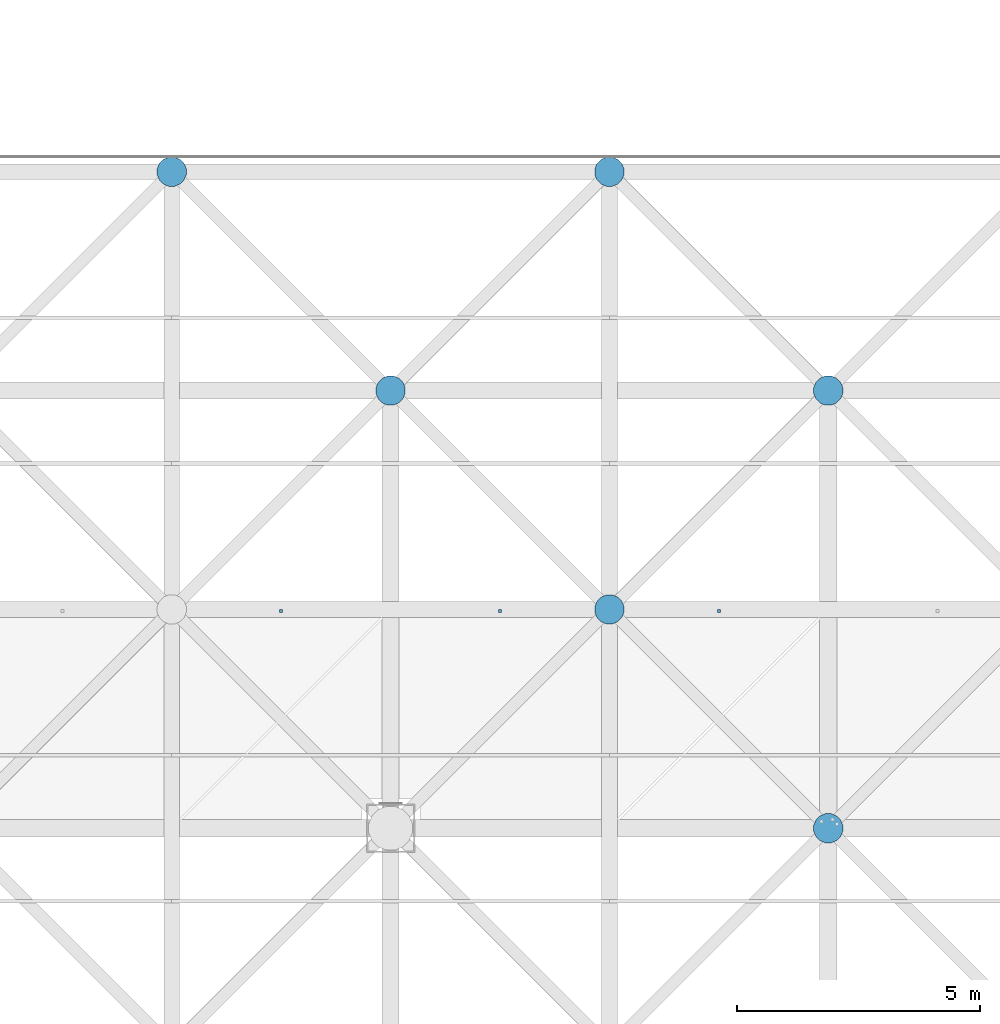
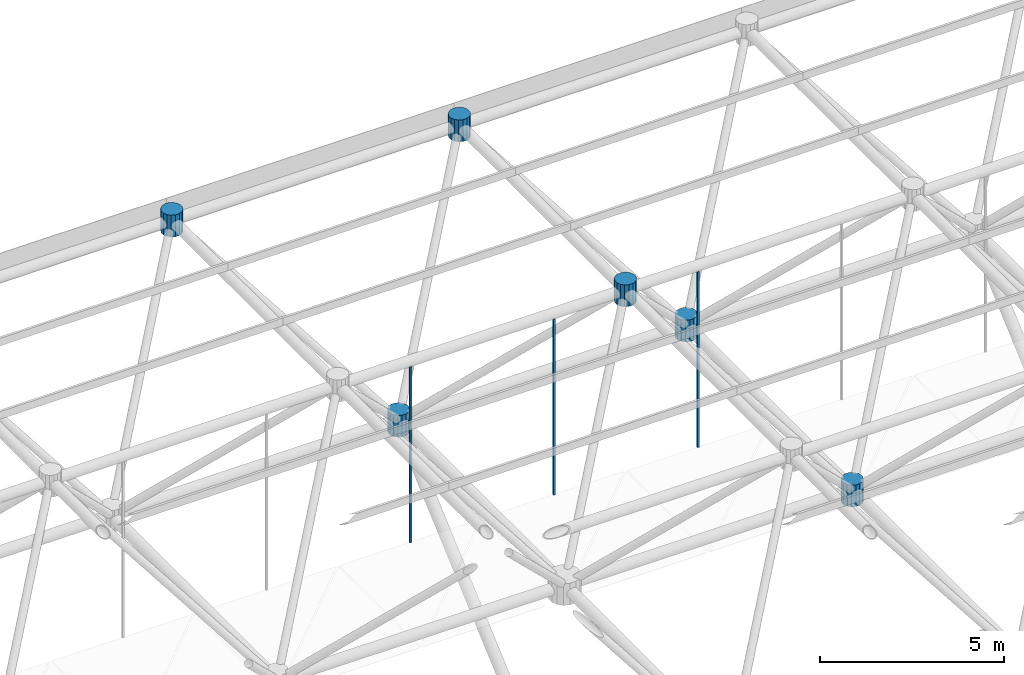
# One storey, part 326 of 437: 9 discrete accessories.
"""IFC4 building model written with IfcOpenShell, lengths in metres."""

from ifc_helpers import new_model, si_unit, direction, frame, origin, place, context, subcontext, project, spatial, polyline, outline, extrude, material, type_object, element, save


model = new_model("IFC4")

# Units and contexts
model_context = context("Model", 3, precision=1e-05, world=origin(), true_north=direction((0.0, 1.0)))
body_context = subcontext(model_context, "Body", "Model", "MODEL_VIEW")
ifc_project = project(units=[si_unit("LENGTHUNIT", "METRE"), si_unit("AREAUNIT", "SQUARE_METRE"), si_unit("VOLUMEUNIT", "CUBIC_METRE"), si_unit("PLANEANGLEUNIT", "RADIAN"), si_unit("MASSUNIT", "GRAM", prefix="KILO")], contexts=[model_context])

# Site, building, storey
site_placement = place(None, origin())
site = spatial("IfcSite", under=ifc_project, at=site_placement, CompositionType="ELEMENT")
building_placement = place(site_placement, origin())
building = spatial("IfcBuilding", under=site, at=building_placement, Name="Opaline Strait Convention Centre", CompositionType="ELEMENT")
storey_placement = place(building_placement, frame((0.0, 0.0, 11.5)))
storey = spatial("IfcBuildingStorey", under=building, at=storey_placement, Name="L02", CompositionType="ELEMENT", Elevation=11.5)

# Discrete accessories
ifc_material_1 = material(Name="Steel Q355B", Category="steel")
discrete_accessory_type_1 = type_object("IfcDiscreteAccessoryType", Name="Soffit hanger 60x60 steel", PredefinedType="BRACKET", material=ifc_material_1)
discrete_accessory_1_placement = place(storey_placement, frame((0.0, 0.0, 11.989990234375)))
element("IfcDiscreteAccessory", 1, at=discrete_accessory_1_placement, inside=storey, type_object=discrete_accessory_type_1, Name="Soffit hanger", PredefinedType="BRACKET", context=body_context, shape_type="SweptSolid", body=[
    extrude(outline(polyline([(168.719970703125, 157.43505859375), (168.780029296875, 157.43505859375), (168.780029296875, 157.4951171875), (168.719970703125, 157.4951171875), (168.719970703125, 157.43505859375)])), origin(), (0.0, 0.0, 1.0), 5.819091796875),
])
discrete_accessory_2_placement = place(storey_placement, frame((0.0, 0.0, 11.989990234375)))
element("IfcDiscreteAccessory", 2, at=discrete_accessory_2_placement, inside=storey, type_object=discrete_accessory_type_1, Name="Soffit hanger", PredefinedType="BRACKET", context=body_context, shape_type="SweptSolid", body=[
    extrude(outline(polyline([(173.219970703125, 157.43505859375), (173.280029296875, 157.43505859375), (173.280029296875, 157.4951171875), (173.219970703125, 157.4951171875), (173.219970703125, 157.43505859375)])), origin(), (0.0, 0.0, 1.0), 5.819091796875),
])
discrete_accessory_3_placement = place(storey_placement, frame((0.0, 0.0, 11.989990234375)))
element("IfcDiscreteAccessory", 3, at=discrete_accessory_3_placement, inside=storey, type_object=discrete_accessory_type_1, Name="Soffit hanger", PredefinedType="BRACKET", context=body_context, shape_type="SweptSolid", body=[
    extrude(outline(polyline([(177.719970703125, 157.43505859375), (177.780029296875, 157.43505859375), (177.780029296875, 157.4951171875), (177.719970703125, 157.4951171875), (177.719970703125, 157.43505859375)])), origin(), (0.0, 0.0, 1.0), 5.819091796875),
])
ifc_material_2 = material(Name="Cast steel ZG300-500H (300 MPa)", Category="steel")
discrete_accessory_type_2 = type_object("IfcDiscreteAccessoryType", Name="Space frame node hub D600", PredefinedType="USERDEFINED", material=ifc_material_2)
discrete_accessory_4_placement = place(storey_placement, frame((0.0, 0.0, 17.611572265625)))
element("IfcDiscreteAccessory", 4, at=discrete_accessory_4_placement, inside=storey, type_object=discrete_accessory_type_2, Name="Top node 10/15", ObjectType="NODE HUB", PredefinedType="USERDEFINED", context=body_context, shape_type="SweptSolid", body=[
    extrude(outline(polyline([(166.800048828125, 166.559814453125), (166.75439453125, 166.669921875), (166.669921875, 166.75439453125), (166.559814453125, 166.800048828125), (166.440185546875, 166.800048828125), (166.330078125, 166.75439453125), (166.24560546875, 166.669921875), (166.199951171875, 166.559814453125), (166.199951171875, 166.440185546875), (166.24560546875, 166.330078125), (166.330078125, 166.24560546875), (166.440185546875, 166.199951171875), (166.559814453125, 166.199951171875), (166.669921875, 166.24560546875), (166.75439453125, 166.330078125), (166.800048828125, 166.440185546875), (166.800048828125, 166.559814453125)])), origin(), (0.0, 0.0, 1.0), 0.719970703125),
])
discrete_accessory_5_placement = place(storey_placement, frame((0.0, 0.0, 17.611572265625)))
element("IfcDiscreteAccessory", 5, at=discrete_accessory_5_placement, inside=storey, type_object=discrete_accessory_type_2, Name="Top node 11/14", ObjectType="NODE HUB", PredefinedType="USERDEFINED", context=body_context, shape_type="SweptSolid", body=[
    extrude(outline(polyline([(175.800048828125, 157.559814453125), (175.75439453125, 157.669921875), (175.669921875, 157.75439453125), (175.559814453125, 157.800048828125), (175.440185546875, 157.800048828125), (175.330078125, 157.75439453125), (175.24560546875, 157.669921875), (175.199951171875, 157.559814453125), (175.199951171875, 157.440185546875), (175.24560546875, 157.330078125), (175.330078125, 157.24560546875), (175.440185546875, 157.199951171875), (175.559814453125, 157.199951171875), (175.669921875, 157.24560546875), (175.75439453125, 157.330078125), (175.800048828125, 157.440185546875), (175.800048828125, 157.559814453125)])), origin(), (0.0, 0.0, 1.0), 0.719970703125),
])
discrete_accessory_6_placement = place(storey_placement, frame((0.0, 0.0, 17.611572265625)))
element("IfcDiscreteAccessory", 6, at=discrete_accessory_6_placement, inside=storey, type_object=discrete_accessory_type_2, Name="Top node 11/15", ObjectType="NODE HUB", PredefinedType="USERDEFINED", context=body_context, shape_type="SweptSolid", body=[
    extrude(outline(polyline([(175.800048828125, 166.559814453125), (175.75439453125, 166.669921875), (175.669921875, 166.75439453125), (175.559814453125, 166.800048828125), (175.440185546875, 166.800048828125), (175.330078125, 166.75439453125), (175.24560546875, 166.669921875), (175.199951171875, 166.559814453125), (175.199951171875, 166.440185546875), (175.24560546875, 166.330078125), (175.330078125, 166.24560546875), (175.440185546875, 166.199951171875), (175.559814453125, 166.199951171875), (175.669921875, 166.24560546875), (175.75439453125, 166.330078125), (175.800048828125, 166.440185546875), (175.800048828125, 166.559814453125)])), origin(), (0.0, 0.0, 1.0), 0.719970703125),
])
discrete_accessory_7_placement = place(storey_placement, frame((0.0, 0.0, 12.139892578125)))
element("IfcDiscreteAccessory", 7, at=discrete_accessory_7_placement, inside=storey, type_object=discrete_accessory_type_2, Name="Bottom node 10/14", ObjectType="NODE HUB", PredefinedType="USERDEFINED", context=body_context, shape_type="SweptSolid", body=[
    extrude(outline(polyline([(171.300048828125, 162.059814453125), (171.25439453125, 162.169921875), (171.169921875, 162.25439453125), (171.059814453125, 162.300048828125), (170.940185546875, 162.300048828125), (170.830078125, 162.25439453125), (170.74560546875, 162.169921875), (170.699951171875, 162.059814453125), (170.699951171875, 161.940185546875), (170.74560546875, 161.830078125), (170.830078125, 161.74560546875), (170.940185546875, 161.699951171875), (171.059814453125, 161.699951171875), (171.169921875, 161.74560546875), (171.25439453125, 161.830078125), (171.300048828125, 161.940185546875), (171.300048828125, 162.059814453125)])), origin(), (0.0, 0.0, 1.0), 0.72021484375),
])
discrete_accessory_8_placement = place(storey_placement, frame((0.0, 0.0, 12.139892578125)))
element("IfcDiscreteAccessory", 8, at=discrete_accessory_8_placement, inside=storey, type_object=discrete_accessory_type_2, Name="Bottom node 11/13", ObjectType="NODE HUB", PredefinedType="USERDEFINED", context=body_context, shape_type="SweptSolid", body=[
    extrude(outline(polyline([(180.300048828125, 153.059814453125), (180.25439453125, 153.169921875), (180.169921875, 153.25439453125), (180.059814453125, 153.300048828125), (179.940185546875, 153.300048828125), (179.830078125, 153.25439453125), (179.74560546875, 153.169921875), (179.699951171875, 153.059814453125), (179.699951171875, 152.940185546875), (179.74560546875, 152.830078125), (179.830078125, 152.74560546875), (179.940185546875, 152.699951171875), (180.059814453125, 152.699951171875), (180.169921875, 152.74560546875), (180.25439453125, 152.830078125), (180.300048828125, 152.940185546875), (180.300048828125, 153.059814453125)])), origin(), (0.0, 0.0, 1.0), 0.72021484375),
])
discrete_accessory_9_placement = place(storey_placement, frame((0.0, 0.0, 12.139892578125)))
element("IfcDiscreteAccessory", 9, at=discrete_accessory_9_placement, inside=storey, type_object=discrete_accessory_type_2, Name="Bottom node 11/14", ObjectType="NODE HUB", PredefinedType="USERDEFINED", context=body_context, shape_type="SweptSolid", body=[
    extrude(outline(polyline([(180.300048828125, 162.059814453125), (180.25439453125, 162.169921875), (180.169921875, 162.25439453125), (180.059814453125, 162.300048828125), (179.940185546875, 162.300048828125), (179.830078125, 162.25439453125), (179.74560546875, 162.169921875), (179.699951171875, 162.059814453125), (179.699951171875, 161.940185546875), (179.74560546875, 161.830078125), (179.830078125, 161.74560546875), (179.940185546875, 161.699951171875), (180.059814453125, 161.699951171875), (180.169921875, 161.74560546875), (180.25439453125, 161.830078125), (180.300048828125, 161.940185546875), (180.300048828125, 162.059814453125)])), origin(), (0.0, 0.0, 1.0), 0.72021484375),
])

save(model, "model.ifc")
